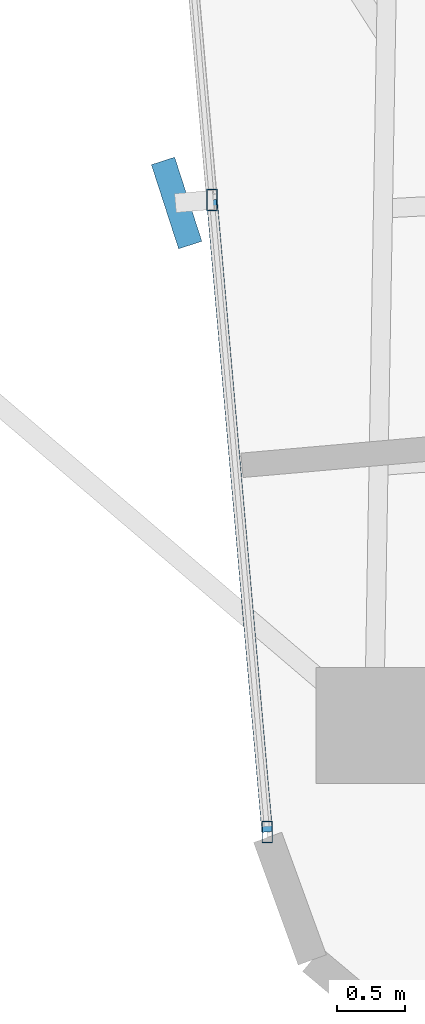
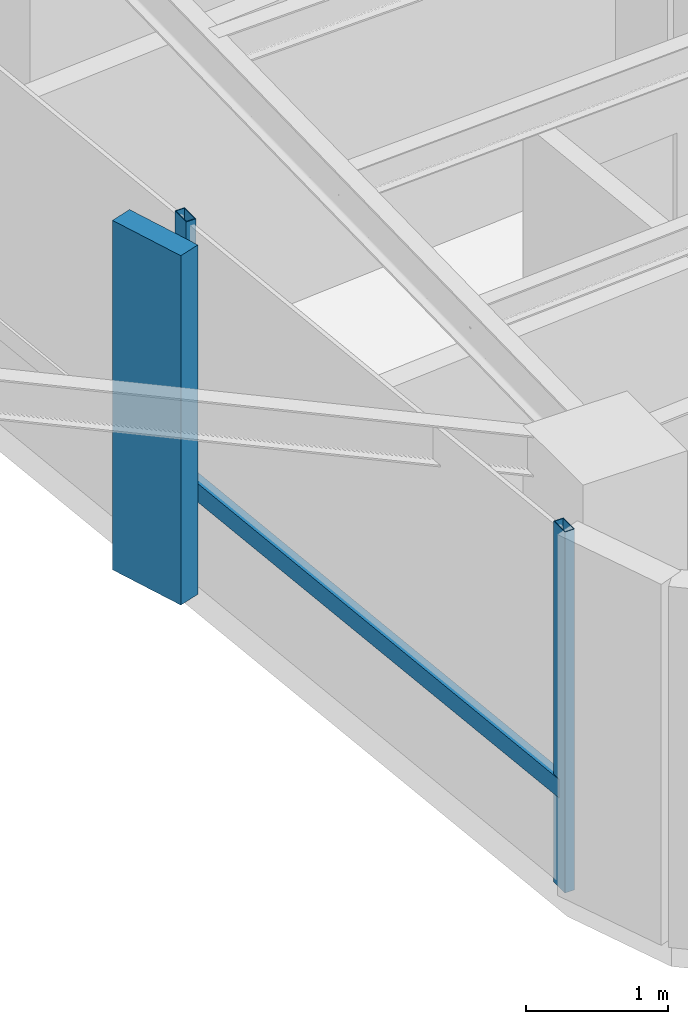
# One storey, part 2 of 24: 4 members, 1 element without a shape of its own.
"""IFC4 building model written with IfcOpenShell, lengths in metres."""

from ifc_helpers import new_model, si_unit, direction, frame, origin, origin_2d, place, context, subcontext, project, spatial, rectangle, hollow_rectangle, extrude, source, transform, mapped, material, material_profile, profile_set, type_object, element, aggregate, save


model = new_model("IFC4")

# Units and contexts
model_context = context("Model", 3, precision=1e-05, world=origin(), true_north=direction((0.0, 1.0)))
body_context = subcontext(model_context, "Body", "Model", "MODEL_VIEW")
ifc_project = project(units=[si_unit("LENGTHUNIT", "METRE"), si_unit("AREAUNIT", "SQUARE_METRE"), si_unit("VOLUMEUNIT", "CUBIC_METRE"), si_unit("PLANEANGLEUNIT", "RADIAN"), si_unit("MASSUNIT", "GRAM", prefix="KILO")], contexts=[model_context])

# Site, building, storey
site_placement = place(None, origin())
site = spatial("IfcSite", under=ifc_project, at=site_placement, CompositionType="ELEMENT")
building_placement = place(site_placement, origin())
building = spatial("IfcBuilding", under=site, at=building_placement, Name="Sahyath Konkavel Grand Hotel", CompositionType="ELEMENT")
storey_placement = place(building_placement, frame((0.0, 0.0, 181.89990234375)))
storey = spatial("IfcBuildingStorey", under=building, at=storey_placement, Name="L50", CompositionType="ELEMENT", Elevation=181.89990234375)

# Curtain wall, members
ifc_material_1 = material(Name="Anodised Bronze Aluminium & Low-E Glazing", Category="aluminium")
curtain_wall_type = type_object("IfcCurtainWallType", Name="CW-ZONE3", PredefinedType="NOTDEFINED", material=ifc_material_1)
curtain_wall_placement = place(storey_placement, origin())
curtain_wall = element("IfcCurtainWall", 1, at=curtain_wall_placement, inside=storey, type_object=curtain_wall_type, Name="L50 Unitised Curtain Wall F24", PredefinedType="NOTDEFINED")
ifc_material_2 = material(Name="Warm Buff Sandstone Cladding on Concrete C50/60", Category="masonry")
ifc_material_profile_1 = material_profile(ifc_material_2, rectangle(XDim=0.179931640625, YDim=0.64990234375, at=origin_2d()), Name="FIN 180x650")
ifc_profile_set_1 = profile_set([ifc_material_profile_1], Name="Warm Buff Sandstone Cladding on Concrete C50/60")
member_type_1 = type_object("IfcMemberType", Name="FIN-SANDSTONE-650", PredefinedType="MULLION", material=ifc_profile_set_1)
shared_shape_1 = source(origin(), body_context, "Body", "SweptSolid", [
    extrude(rectangle(XDim=0.179931640625, YDim=0.64990234375, at=origin_2d()), origin(), (0.0, 0.0, 1.0), 3.010009765625),
])
member_1_placement = place(storey_placement, frame((-5.386474609375, -14.273681640625, 0.050048828125), z_axis=(0.0, 0.0, 1.0), x_axis=(0.951379596601, 0.308020881065, 0.0)))
member_1 = element("IfcMember", 2, at=member_1_placement, type_object=member_type_1, Name="L50 Sandstone Vertical Solar Fin FIN F24-1", PredefinedType="MULLION", context=body_context, shape_type="MappedRepresentation", body=[
    mapped(shared_shape_1, transform((0.0, 0.0, 0.0), scale=1.0)),
])
ifc_material_3 = material(Name="Anodised Bronze Aluminium", Category="aluminium")
ifc_material_profile_2 = material_profile(ifc_material_3, hollow_rectangle(XDim=0.080078125, YDim=0.159912109375, WallThickness=0.006103515625, at=origin_2d()), Name="RHS 160x80x6")
ifc_profile_set_2 = profile_set([ifc_material_profile_2], Name="Anodised Bronze Aluminium")
member_type_2 = type_object("IfcMemberType", Name="CW-MUL-160", PredefinedType="MULLION", material=ifc_profile_set_2)
shared_shape_2 = source(origin(), body_context, "Body", "SweptSolid", [
    extrude(hollow_rectangle(XDim=0.080078125, YDim=0.159912109375, WallThickness=0.006103515625, at=origin_2d()), origin(), (0.0, 0.0, 1.0), 3.110107421875),
])
member_2_placement = place(storey_placement, frame((-5.12744140625, -14.251220703125, 0.0), z_axis=(0.0, 0.0, 1.0), x_axis=(1.0, 0.0, 0.0)))
member_2 = element("IfcMember", 3, at=member_2_placement, type_object=member_type_2, Name="L50 Curtain Wall Mullion F24-1", PredefinedType="MULLION", context=body_context, shape_type="MappedRepresentation", body=[
    mapped(shared_shape_2, transform((0.0, 0.0, 0.0), scale=1.0)),
])
member_3_placement = place(storey_placement, frame((-4.72119140625, -18.893310546875, 0.0), z_axis=(0.0, 0.0, 1.0), x_axis=(1.0, 0.0, 0.0)))
member_3 = element("IfcMember", 4, at=member_3_placement, type_object=member_type_2, Name="L50 Curtain Wall Mullion F24-2", PredefinedType="MULLION", context=body_context, shape_type="MappedRepresentation", body=[
    mapped(shared_shape_2, transform((0.0, 0.0, 0.0), scale=1.0)),
])
ifc_material_profile_3 = material_profile(ifc_material_3, hollow_rectangle(XDim=0.080078125, YDim=0.159912109375, WallThickness=0.006103515625, at=origin_2d()), Name="RHS 160x80x6")
ifc_profile_set_3 = profile_set([ifc_material_profile_3], Name="Anodised Bronze Aluminium")
member_type_3 = type_object("IfcMemberType", Name="CW-TRN-160", PredefinedType="USERDEFINED", material=ifc_profile_set_3)
shared_shape_3 = source(origin(), body_context, "Body", "SweptSolid", [
    extrude(hollow_rectangle(XDim=0.080078125, YDim=0.159912109375, WallThickness=0.006103515625, at=origin_2d()), origin(), (0.0, 0.0, 1.0), 4.659912109375),
])
member_4_placement = place(storey_placement, frame((-5.12744140625, -14.251220703125, 0.85009765625), z_axis=(0.087181248758, -0.996192466276, 0.0), x_axis=(0.996192466276, 0.087181248758, 0.0)))
member_4 = element("IfcMember", 5, at=member_4_placement, type_object=member_type_3, Name="L50 Curtain Wall Transom F24-1-spandrel", ObjectType="TRANSOM", PredefinedType="USERDEFINED", context=body_context, shape_type="MappedRepresentation", body=[
    mapped(shared_shape_3, transform((0.0, 0.0, 0.0), scale=1.0)),
])
aggregate(curtain_wall, [member_2, member_1, member_3, member_4])

save(model, "model.ifc")
